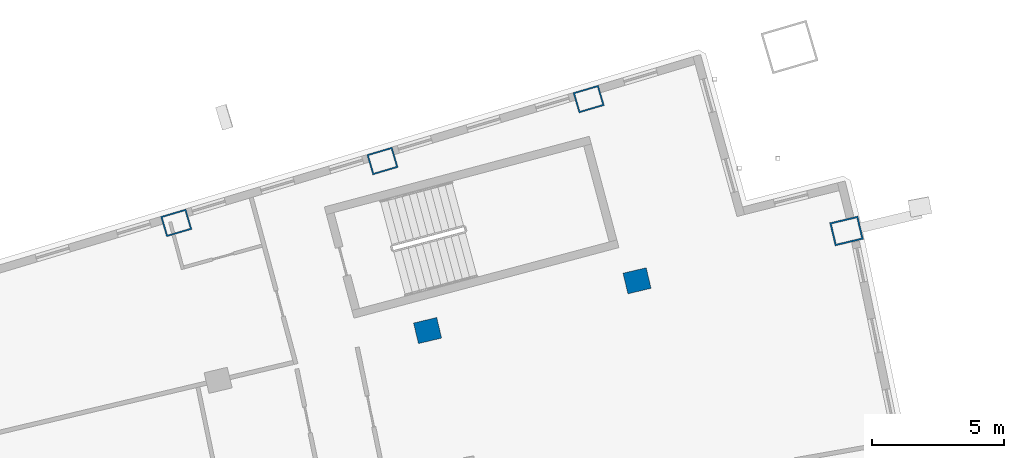
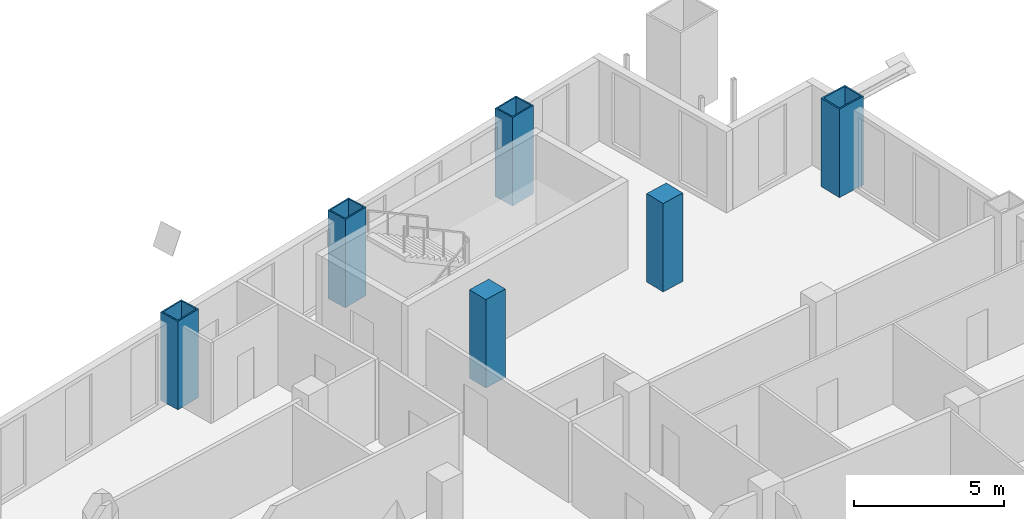
# One storey, part 8 of 21: 6 columns.
"""IFC4 building model written with IfcOpenShell, lengths in metres."""

from ifc_helpers import new_model, si_unit, direction, frame, origin, origin_2d, place, context, subcontext, project, spatial, rectangle, hollow_rectangle, extrude, material, material_profile, profile_set, type_object, element, save


model = new_model("IFC4")

# Units and contexts
model_context = context("Model", 3, precision=1e-05, world=origin(), true_north=direction((0.0, 1.0)))
body_context = subcontext(model_context, "Body", "Model", "MODEL_VIEW")
ifc_project = project(units=[si_unit("LENGTHUNIT", "METRE"), si_unit("AREAUNIT", "SQUARE_METRE"), si_unit("VOLUMEUNIT", "CUBIC_METRE"), si_unit("PLANEANGLEUNIT", "RADIAN"), si_unit("MASSUNIT", "GRAM", prefix="KILO")], contexts=[model_context])

# Site, building, storey
site_placement = place(None, origin())
site = spatial("IfcSite", under=ifc_project, at=site_placement, CompositionType="ELEMENT")
building_placement = place(site_placement, origin())
building = spatial("IfcBuilding", under=site, at=building_placement, Name="Alderwake Tower", CompositionType="ELEMENT")
storey_placement = place(building_placement, frame((0.0, 0.0, 146.0)))
storey = spatial("IfcBuildingStorey", under=building, at=storey_placement, Name="L35", CompositionType="ELEMENT", Elevation=146.0)

# Columns
ifc_material_1 = material(Name="Steel ASTM A572 Grade 50 concrete filled C70/85", Category="concrete")
ifc_material_profile_1 = material_profile(ifc_material_1, hollow_rectangle(XDim=0.800048828125, YDim=1.0, WallThickness=0.054931640625, at=origin_2d()), Name="BOX 1000X800X55")
ifc_profile_set_1 = profile_set([ifc_material_profile_1], Name="Steel ASTM A572 Grade 50 concrete filled C70/85")
column_type_1 = type_object("IfcColumnType", Name="End column Z3", PredefinedType="COLUMN", material=ifc_profile_set_1)
for number, where, z_axis, x_axis, name in (
    (1, (31.080322265625, 93.72314453125, 0.0), (0.0, 0.0, 1.0), (-0.282582549822, 0.959242984095, 0.0), "Column R12-C2"),
    (2, (38.8701171875, 96.061767578125, 0.0), (0.0, 0.0, 1.0), (-0.282909001444, 0.959146754622, 0.0), "Column R12-C3"),
    (3, (46.66015625, 98.400634765625, 0.0), (0.0, 0.0, 1.0), (-0.283195247437, 0.959062277346, 0.0), "Column R12-C4"),
):
    element("IfcColumn", number, at=place(storey_placement, frame(where, z_axis=z_axis, x_axis=x_axis)), inside=storey, type_object=column_type_1, Name=name, PredefinedType="COLUMN", context=body_context, shape_type="SweptSolid", body=[
        extrude(hollow_rectangle(XDim=0.800048828125, YDim=1.0, WallThickness=0.054931640625, at=origin_2d()), origin(), (0.0, 0.0, 1.0), 3.60009765625),
    ])
ifc_material_2 = material(Name="Concrete C70/85", Category="concrete")
ifc_material_profile_2 = material_profile(ifc_material_2, rectangle(XDim=0.800048828125, YDim=0.89990234375, at=origin_2d()), Name="RC 900X800")
ifc_profile_set_2 = profile_set([ifc_material_profile_2], Name="Concrete C70/85")
column_type_2 = type_object("IfcColumnType", Name="Interior column Z3", PredefinedType="COLUMN", material=ifc_profile_set_2)
for number, where, z_axis, x_axis, name in (
    (4, (40.57470703125, 89.656005859375, 0.0), (0.0, 0.0, 1.0), (-0.231221547198, 0.972901123502, 0.0), "Column R11-C3"),
    (5, (48.48779296875, 91.53662109375, 0.0), (0.0, 0.0, 1.0), (-0.231221547198, 0.972901123502, 0.0), "Column R11-C4"),
):
    element("IfcColumn", number, at=place(storey_placement, frame(where, z_axis=z_axis, x_axis=x_axis)), inside=storey, type_object=column_type_2, Name=name, PredefinedType="COLUMN", context=body_context, shape_type="SweptSolid", body=[
        extrude(rectangle(XDim=0.800048828125, YDim=0.89990234375, at=origin_2d()), origin(), (0.0, 0.0, 1.0), 3.60009765625),
    ])
ifc_material_3 = material(Name="Steel ASTM A572 Grade 50 concrete filled C70/85", Category="concrete")
ifc_material_profile_3 = material_profile(ifc_material_3, hollow_rectangle(XDim=0.89990234375, YDim=1.10009765625, WallThickness=0.06005859375, at=origin_2d()), Name="BOX 1100X900X60")
ifc_profile_set_3 = profile_set([ifc_material_profile_3], Name="Steel ASTM A572 Grade 50 concrete filled C70/85")
column_type_3 = type_object("IfcColumnType", Name="Perimeter column Z3", PredefinedType="COLUMN", material=ifc_profile_set_3)
column_placement = place(storey_placement, frame((56.400634765625, 93.417236328125, 0.0), z_axis=(0.0, 0.0, 1.0), x_axis=(-0.231221547198, 0.972901123502, 0.0)))
element("IfcColumn", 6, at=column_placement, inside=storey, type_object=column_type_3, Name="Column R11-C5", PredefinedType="COLUMN", context=body_context, shape_type="SweptSolid", body=[
    extrude(hollow_rectangle(XDim=0.89990234375, YDim=1.10009765625, WallThickness=0.06005859375, at=origin_2d()), origin(), (0.0, 0.0, 1.0), 3.60009765625),
])

save(model, "model.ifc")
